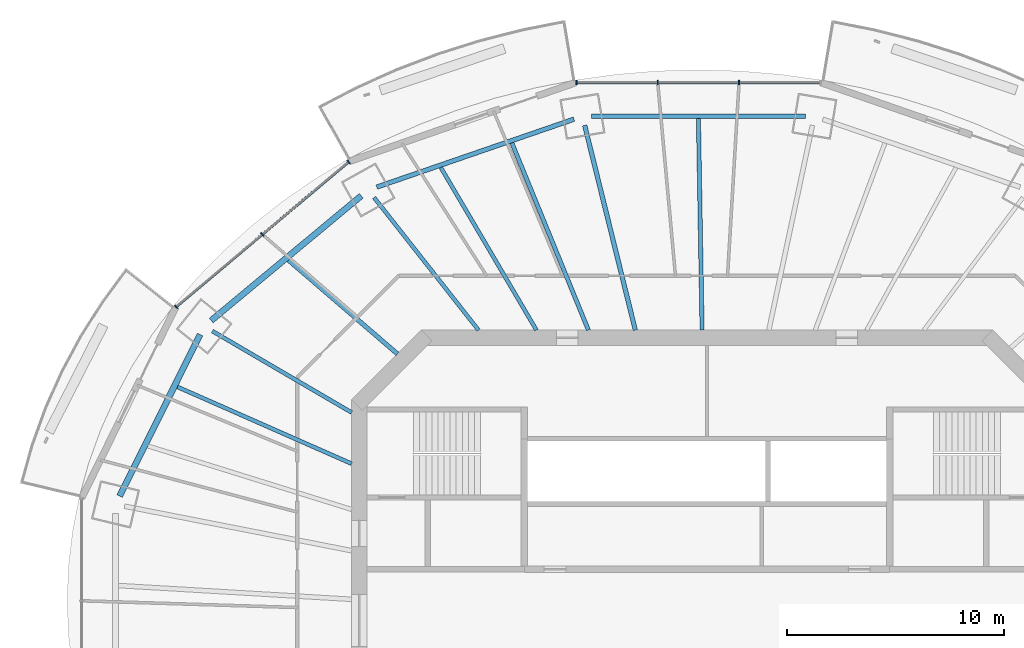
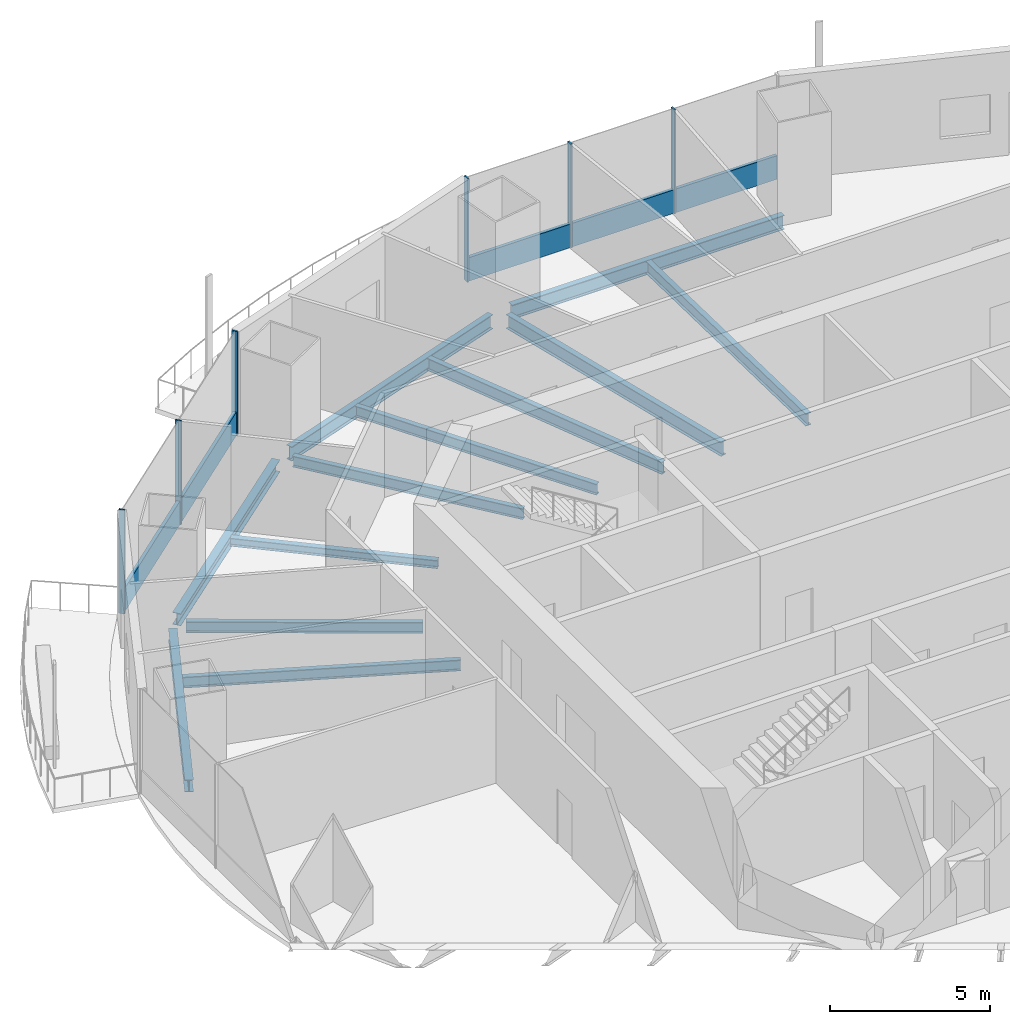
# One storey, part 5 of 16: 12 beams, 8 members, 2 elements without a shape of their own.
"""IFC4 building model written with IfcOpenShell, lengths in metres."""

from ifc_helpers import new_model, si_unit, direction, frame, origin, origin_2d, place, context, subcontext, project, spatial, rectangle, i_section, extrude, material, material_profile, profile_set, type_object, element, aggregate, save


model = new_model("IFC4")

# Units and contexts
model_context = context("Model", 3, precision=1e-05, world=origin(), true_north=direction((0.0, 1.0)))
body_context = subcontext(model_context, "Body", "Model", "MODEL_VIEW")
ifc_project = project(units=[si_unit("LENGTHUNIT", "METRE"), si_unit("AREAUNIT", "SQUARE_METRE"), si_unit("VOLUMEUNIT", "CUBIC_METRE"), si_unit("PLANEANGLEUNIT", "RADIAN"), si_unit("MASSUNIT", "GRAM", prefix="KILO")], contexts=[model_context])

# Site, building, storey
site_placement = place(None, origin())
site = spatial("IfcSite", under=ifc_project, at=site_placement, CompositionType="ELEMENT")
building_placement = place(site_placement, origin())
building = spatial("IfcBuilding", under=site, at=building_placement, Name="Marenthal Gate Tower", CompositionType="ELEMENT")
storey_placement = place(building_placement, frame((0.0, 0.0, 284.5)))
storey = spatial("IfcBuildingStorey", under=building, at=storey_placement, Name="L63", CompositionType="ELEMENT", Elevation=284.5)

# Curtain wall, members
ifc_material_1 = material(Name="Aluminium and glass", Category="aluminium")
curtain_wall_type = type_object("IfcCurtainWallType", Name="Curtain wall typical high", PredefinedType="NOTDEFINED", material=ifc_material_1)
curtain_wall_1_placement = place(storey_placement, origin())
curtain_wall_1 = element("IfcCurtainWall", 1, at=curtain_wall_1_placement, inside=storey, type_object=curtain_wall_type, Name="Curtain wall L63 bay 4", PredefinedType="NOTDEFINED")
ifc_material_2 = material(Name="Aluminium", Category="aluminium")
ifc_material_profile_1 = material_profile(ifc_material_2, rectangle(XDim=0.199951171875, YDim=0.06005859375, at=origin_2d()), Name="60x200 aluminium mullion")
ifc_profile_set_1 = profile_set([ifc_material_profile_1], Name="Aluminium")
member_type_1 = type_object("IfcMemberType", Name="Mullion 60x200 typical high", PredefinedType="MULLION", material=ifc_profile_set_1)
member_1_placement = place(storey_placement, frame((1.470458984375, 24.736083984375, 0.0), z_axis=(0.0, 0.0, 1.0), x_axis=(0.0, -1.0, 0.0)))
member_1 = element("IfcMember", 2, at=member_1_placement, type_object=member_type_1, Name="Mullion L63 bay 4.2", PredefinedType="MULLION", context=body_context, shape_type="SweptSolid", body=[
    extrude(rectangle(XDim=0.199951171875, YDim=0.06005859375, at=origin_2d()), origin(), (0.0, 0.0, 1.0), 3.969970703125),
])
member_2_placement = place(storey_placement, frame((-2.2705078125, 24.736083984375, 0.0), z_axis=(0.0, 0.0, 1.0), x_axis=(0.0, -1.0, 0.0)))
member_2 = element("IfcMember", 3, at=member_2_placement, type_object=member_type_1, Name="Mullion L63 bay 4.3", PredefinedType="MULLION", context=body_context, shape_type="SweptSolid", body=[
    extrude(rectangle(XDim=0.199951171875, YDim=0.06005859375, at=origin_2d()), origin(), (0.0, 0.0, 1.0), 3.969970703125),
])
member_3_placement = place(storey_placement, frame((-6.01171875, 24.736083984375, 0.0), z_axis=(0.0, 0.0, 1.0), x_axis=(0.0, -1.0, 0.0)))
member_3 = element("IfcMember", 4, at=member_3_placement, type_object=member_type_1, Name="Mullion L63 bay 4.4", PredefinedType="MULLION", context=body_context, shape_type="SweptSolid", body=[
    extrude(rectangle(XDim=0.199951171875, YDim=0.06005859375, at=origin_2d()), origin(), (0.0, 0.0, 1.0), 3.969970703125),
])

curtain_wall_2_placement = place(storey_placement, origin())
curtain_wall_2 = element("IfcCurtainWall", 5, at=curtain_wall_2_placement, inside=storey, type_object=curtain_wall_type, Name="Curtain wall L63 bay 6", PredefinedType="NOTDEFINED")
member_4_placement = place(storey_placement, frame((-16.489013671875, 21.087890625, 0.0), z_axis=(0.0, 0.0, 1.0), x_axis=(0.643380191367, -0.76554681722, 0.0)))
member_4 = element("IfcMember", 6, at=member_4_placement, type_object=member_type_1, Name="Mullion L63 bay 6.1", PredefinedType="MULLION", context=body_context, shape_type="SweptSolid", body=[
    extrude(rectangle(XDim=0.199951171875, YDim=0.06005859375, at=origin_2d()), origin(), (0.0, 0.0, 1.0), 3.969970703125),
])
member_5_placement = place(storey_placement, frame((-20.455078125, 17.754638671875, 0.0), z_axis=(0.0, 0.0, 1.0), x_axis=(0.643380191367, -0.76554681722, 0.0)))
member_5 = element("IfcMember", 7, at=member_5_placement, type_object=member_type_1, Name="Mullion L63 bay 6.2", PredefinedType="MULLION", context=body_context, shape_type="SweptSolid", body=[
    extrude(rectangle(XDim=0.199951171875, YDim=0.06005859375, at=origin_2d()), origin(), (0.0, 0.0, 1.0), 3.969970703125),
])
member_6_placement = place(storey_placement, frame((-24.42138671875, 14.42138671875, 0.0), z_axis=(0.0, 0.0, 1.0), x_axis=(0.643380191367, -0.76554681722, 0.0)))
member_6 = element("IfcMember", 8, at=member_6_placement, type_object=member_type_1, Name="Mullion L63 bay 6.3", PredefinedType="MULLION", context=body_context, shape_type="SweptSolid", body=[
    extrude(rectangle(XDim=0.199951171875, YDim=0.06005859375, at=origin_2d()), origin(), (0.0, 0.0, 1.0), 3.969970703125),
])

# Member
ifc_material_3 = material(Name="Aluminium", Category="aluminium")
ifc_material_profile_2 = material_profile(ifc_material_3, rectangle(XDim=0.1201171875, YDim=0.89990234375, at=origin_2d()), Name="120x900 aluminium transom")
ifc_profile_set_2 = profile_set([ifc_material_profile_2], Name="Aluminium")
member_type_2 = type_object("IfcMemberType", Name="Transom 120x900 typical high", PredefinedType="USERDEFINED", material=ifc_profile_set_2)
member_7_placement = place(storey_placement, frame((5.181640625, 24.736083984375, 0.449951171875), z_axis=(-1.0, 0.0, 0.0), x_axis=(0.0, -1.0, 0.0)))
member_7 = element("IfcMember", 9, at=member_7_placement, type_object=member_type_2, Name="Transom L63 bay 4", ObjectType="TRANSOM", PredefinedType="USERDEFINED", context=body_context, shape_type="SweptSolid", body=[
    extrude(rectangle(XDim=0.1201171875, YDim=0.89990234375, at=origin_2d()), origin(), (0.0, 0.0, 1.0), 11.163330078125),
])

aggregate(curtain_wall_1, [member_1, member_2, member_3, member_7])

member_8_placement = place(storey_placement, frame((-16.511962890625, 21.068603515625, 0.449951171875), z_axis=(-0.765547508353, -0.643379368999, 0.0), x_axis=(0.643379368999, -0.765547508353, 0.0)))
member_8 = element("IfcMember", 10, at=member_8_placement, type_object=member_type_2, Name="Transom L63 bay 6", ObjectType="TRANSOM", PredefinedType="USERDEFINED", context=body_context, shape_type="SweptSolid", body=[
    extrude(rectangle(XDim=0.1201171875, YDim=0.89990234375, at=origin_2d()), origin(), (0.0, 0.0, 1.0), 10.3017578125),
])

aggregate(curtain_wall_2, [member_4, member_5, member_6, member_8])

# Beams
ifc_material_4 = material(Name="Steel S355", Category="steel")
ifc_material_profile_3 = material_profile(ifc_material_4, i_section(OverallWidth=0.205078125, OverallDepth=0.31005859375, WebThickness=0.009521484375, FlangeThickness=0.016357421875, FilletRadius=0.0126953125, at=origin_2d()), Name="W310X74")
ifc_profile_set_3 = profile_set([ifc_material_profile_3], Name="Steel S355")
beam_type_1 = type_object("IfcBeamType", Name="W310X74 beam", PredefinedType="BEAM", material=ifc_profile_set_3)
beam_1_placement = place(storey_placement, frame((-19.252197265625, 16.566650390625, -0.3349609375), z_axis=(0.757988370944, -0.652268065686, 0.0), x_axis=(0.652268065686, 0.757988370944, 0.0)))
element("IfcBeam", 11, at=beam_1_placement, inside=storey, type_object=beam_type_1, Name="BM-L63-25", PredefinedType="BEAM", context=body_context, shape_type="SweptSolid", body=[
    extrude(i_section(OverallWidth=0.205078125, OverallDepth=0.31005859375, WebThickness=0.009521484375, FlangeThickness=0.016357421875, FilletRadius=0.0126953125, at=origin_2d()), origin(), (0.0, 0.0, 1.0), 6.611572265625),
])
ifc_material_5 = material(Name="Steel S355", Category="steel")
ifc_material_profile_4 = material_profile(ifc_material_5, i_section(OverallWidth=0.180908203125, OverallDepth=0.4169921875, WebThickness=0.010986328125, FlangeThickness=0.018310546875, FilletRadius=0.01025390625, at=origin_2d()), Name="W410X85")
ifc_profile_set_4 = profile_set([ifc_material_profile_4], Name="Steel S355")
beam_type_2 = type_object("IfcBeamType", Name="W410X85 beam", PredefinedType="BEAM", material=ifc_profile_set_4)
beam_2_placement = place(storey_placement, frame((-15.31787109375, 19.4501953125, -0.388427734375), z_axis=(0.618718192815, -0.785613007708, 0.0), x_axis=(0.785613007708, 0.618718192815, 0.0)))
element("IfcBeam", 12, at=beam_2_placement, inside=storey, type_object=beam_type_2, Name="BM-L63-06", PredefinedType="BEAM", context=body_context, shape_type="SweptSolid", body=[
    extrude(i_section(OverallWidth=0.180908203125, OverallDepth=0.4169921875, WebThickness=0.010986328125, FlangeThickness=0.018310546875, FilletRadius=0.01025390625, at=origin_2d()), origin(), (0.0, 0.0, 1.0), 7.7646484375),
])
beam_3_placement = place(storey_placement, frame((-22.7548828125, 13.304443359375, -0.388427734375), z_axis=(0.863265250165, -0.504750540226, 0.0), x_axis=(0.504750540226, 0.863265250165, 0.0)))
element("IfcBeam", 13, at=beam_3_placement, inside=storey, type_object=beam_type_2, Name="BM-L63-07", PredefinedType="BEAM", context=body_context, shape_type="SweptSolid", body=[
    extrude(i_section(OverallWidth=0.180908203125, OverallDepth=0.4169921875, WebThickness=0.010986328125, FlangeThickness=0.018310546875, FilletRadius=0.01025390625, at=origin_2d()), origin(), (0.0, 0.0, 1.0), 7.419189453125),
])
beam_4_placement = place(storey_placement, frame((-12.248291015625, 20.831298828125, -0.388427734375), z_axis=(0.506846770784, -0.862036165683, 0.0), x_axis=(0.862036165684, 0.506846770784, 0.0)))
element("IfcBeam", 14, at=beam_4_placement, inside=storey, type_object=beam_type_2, Name="BM-L63-24", PredefinedType="BEAM", context=body_context, shape_type="SweptSolid", body=[
    extrude(i_section(OverallWidth=0.180908203125, OverallDepth=0.4169921875, WebThickness=0.010986328125, FlangeThickness=0.018310546875, FilletRadius=0.01025390625, at=origin_2d()), origin(), (0.0, 0.0, 1.0), 8.678466796875),
])
beam_5_placement = place(storey_placement, frame((-24.363525390625, 10.737548828125, -0.388427734375), z_axis=(0.91506944586, -0.403296304537, 0.0), x_axis=(0.403296304537, 0.91506944586, 0.0)))
element("IfcBeam", 15, at=beam_5_placement, inside=storey, type_object=beam_type_2, Name="BM-L63-26", PredefinedType="BEAM", context=body_context, shape_type="SweptSolid", body=[
    extrude(i_section(OverallWidth=0.180908203125, OverallDepth=0.4169921875, WebThickness=0.010986328125, FlangeThickness=0.018310546875, FilletRadius=0.01025390625, at=origin_2d()), origin(), (0.0, 0.0, 1.0), 8.757080078125),
])
ifc_material_6 = material(Name="Steel S355", Category="steel")
ifc_material_profile_5 = material_profile(ifc_material_6, i_section(OverallWidth=0.279052734375, OverallDepth=0.4619140625, WebThickness=0.0107421875, FlangeThickness=0.017333984375, FilletRadius=0.010009765625, at=origin_2d()), Name="W460X113")
ifc_profile_set_5 = profile_set([ifc_material_profile_5], Name="Steel S355")
beam_type_3 = type_object("IfcBeamType", Name="W460X113 beam", PredefinedType="BEAM", material=ifc_profile_set_5)
beam_6_placement = place(storey_placement, frame((-15.907958984375, 19.527587890625, -0.410888671875), z_axis=(-0.769034611426, -0.639207138906, 0.0), x_axis=(0.639207138906, -0.769034611426, 0.0)))
element("IfcBeam", 16, at=beam_6_placement, inside=storey, type_object=beam_type_3, Name="BM-L63-46", PredefinedType="BEAM", context=body_context, shape_type="SweptSolid", body=[
    extrude(i_section(OverallWidth=0.279052734375, OverallDepth=0.4619140625, WebThickness=0.0107421875, FlangeThickness=0.017333984375, FilletRadius=0.010009765625, at=origin_2d()), origin(), (0.0, 0.0, 1.0), 8.9736328125),
])
beam_7_placement = place(storey_placement, frame((-23.318603515625, 13.147216796875, -0.410888671875), z_axis=(-0.446025836929, -0.895020085133, 0.0), x_axis=(0.895020085133, -0.446025836929, 0.0)))
element("IfcBeam", 17, at=beam_7_placement, inside=storey, type_object=beam_type_3, Name="BM-L63-47", PredefinedType="BEAM", context=body_context, shape_type="SweptSolid", body=[
    extrude(i_section(OverallWidth=0.279052734375, OverallDepth=0.4619140625, WebThickness=0.0107421875, FlangeThickness=0.017333984375, FilletRadius=0.010009765625, at=origin_2d()), origin(), (0.0, 0.0, 1.0), 8.306884765625),
])
ifc_material_7 = material(Name="Steel S355", Category="steel")
ifc_material_profile_6 = material_profile(ifc_material_7, i_section(OverallWidth=0.193115234375, OverallDepth=0.467041015625, WebThickness=0.011474609375, FlangeThickness=0.01904296875, FilletRadius=0.010009765625, at=origin_2d()), Name="W460X97")
ifc_profile_set_6 = profile_set([ifc_material_profile_6], Name="Steel S355")
beam_type_4 = type_object("IfcBeamType", Name="W460X97 beam", PredefinedType="BEAM", material=ifc_profile_set_6)
beam_8_placement = place(storey_placement, frame((-0.398193359375, 23.080322265625, -0.41357421875), z_axis=(0.017260005322, -0.999851035013, 0.0), x_axis=(0.999851035013, 0.017260005322, 0.0)))
element("IfcBeam", 18, at=beam_8_placement, inside=storey, type_object=beam_type_4, Name="BM-L63-22", PredefinedType="BEAM", context=body_context, shape_type="SweptSolid", body=[
    extrude(i_section(OverallWidth=0.193115234375, OverallDepth=0.467041015625, WebThickness=0.011474609375, FlangeThickness=0.01904296875, FilletRadius=0.010009765625, at=origin_2d()), origin(), (0.0, 0.0, 1.0), 9.731689453125),
])
beam_9_placement = place(storey_placement, frame((-8.97802734375, 21.95703125, -0.41357421875), z_axis=(0.378473355227, -0.925612186276, 0.0), x_axis=(0.925612186276, 0.378473355227, 0.0)))
element("IfcBeam", 19, at=beam_9_placement, inside=storey, type_object=beam_type_4, Name="BM-L63-23", PredefinedType="BEAM", context=body_context, shape_type="SweptSolid", body=[
    extrude(i_section(OverallWidth=0.193115234375, OverallDepth=0.467041015625, WebThickness=0.011474609375, FlangeThickness=0.01904296875, FilletRadius=0.010009765625, at=origin_2d()), origin(), (0.0, 0.0, 1.0), 9.298583984375),
])
ifc_material_8 = material(Name="Steel S355", Category="steel")
ifc_material_profile_7 = material_profile(ifc_material_8, i_section(OverallWidth=0.2099609375, OverallDepth=0.535888671875, WebThickness=0.010986328125, FlangeThickness=0.017333984375, FilletRadius=0.0126953125, at=origin_2d()), Name="W530X101")
ifc_profile_set_7 = profile_set([ifc_material_profile_7], Name="Steel S355")
beam_type_5 = type_object("IfcBeamType", Name="W530X101 beam", PredefinedType="BEAM", material=ifc_profile_set_7)
beam_10_placement = place(storey_placement, frame((-5.630615234375, 22.77099609375, -0.447998046875), z_axis=(0.240048718666, -0.970760842158, 0.0), x_axis=(0.970760842158, 0.240048718666, 0.0)))
element("IfcBeam", 20, at=beam_10_placement, inside=storey, type_object=beam_type_5, Name="BM-L63-05", PredefinedType="BEAM", context=body_context, shape_type="SweptSolid", body=[
    extrude(i_section(OverallWidth=0.2099609375, OverallDepth=0.535888671875, WebThickness=0.010986328125, FlangeThickness=0.017333984375, FilletRadius=0.0126953125, at=origin_2d()), origin(), (0.0, 0.0, 1.0), 9.70458984375),
])
ifc_material_9 = material(Name="Steel S355", Category="steel")
ifc_material_profile_8 = material_profile(ifc_material_9, i_section(OverallWidth=0.2119140625, OverallDepth=0.5439453125, WebThickness=0.01318359375, FlangeThickness=0.021240234375, FilletRadius=0.0126953125, at=origin_2d()), Name="W530X123")
ifc_profile_set_8 = profile_set([ifc_material_profile_8], Name="Steel S355")
beam_type_6 = type_object("IfcBeamType", Name="W530X123 beam", PredefinedType="BEAM", material=ifc_profile_set_8)
beam_11_placement = place(storey_placement, frame((4.521240234375, 23.186279296875, -0.451904296875), z_axis=(-1.0, 0.0, 0.0), x_axis=(0.0, -1.0, 0.0)))
element("IfcBeam", 21, at=beam_11_placement, inside=storey, type_object=beam_type_6, Name="BM-L63-44", PredefinedType="BEAM", context=body_context, shape_type="SweptSolid", body=[
    extrude(i_section(OverallWidth=0.2119140625, OverallDepth=0.5439453125, WebThickness=0.01318359375, FlangeThickness=0.021240234375, FilletRadius=0.0126953125, at=origin_2d()), origin(), (0.0, 0.0, 1.0), 9.842529296875),
])
beam_12_placement = place(storey_placement, frame((-6.123779296875, 23.052001953125, -0.451904296875), z_axis=(-0.945528342473, -0.325539788013, 0.0), x_axis=(0.325539788013, -0.945528342473, 0.0)))
element("IfcBeam", 22, at=beam_12_placement, inside=storey, type_object=beam_type_6, Name="BM-L63-45", PredefinedType="BEAM", context=body_context, shape_type="SweptSolid", body=[
    extrude(i_section(OverallWidth=0.2119140625, OverallDepth=0.5439453125, WebThickness=0.01318359375, FlangeThickness=0.021240234375, FilletRadius=0.0126953125, at=origin_2d()), origin(), (0.0, 0.0, 1.0), 9.595703125),
])

save(model, "model.ifc")
